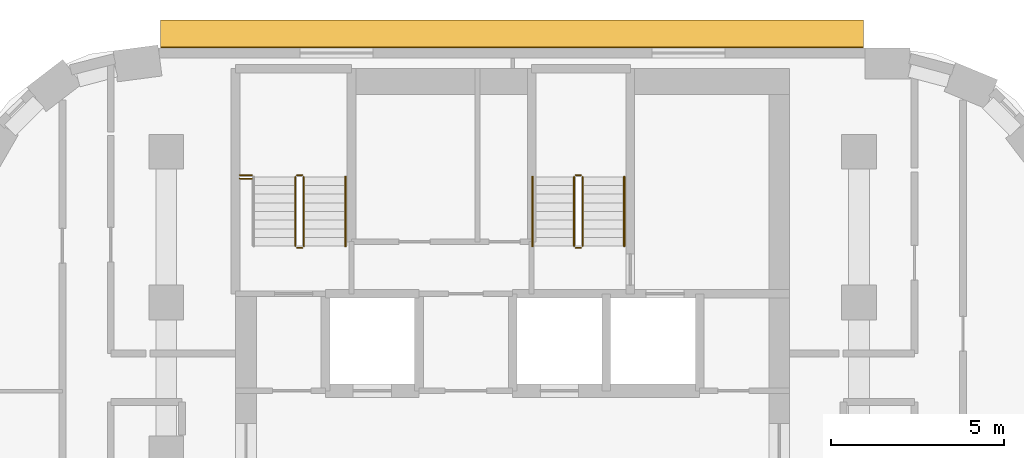
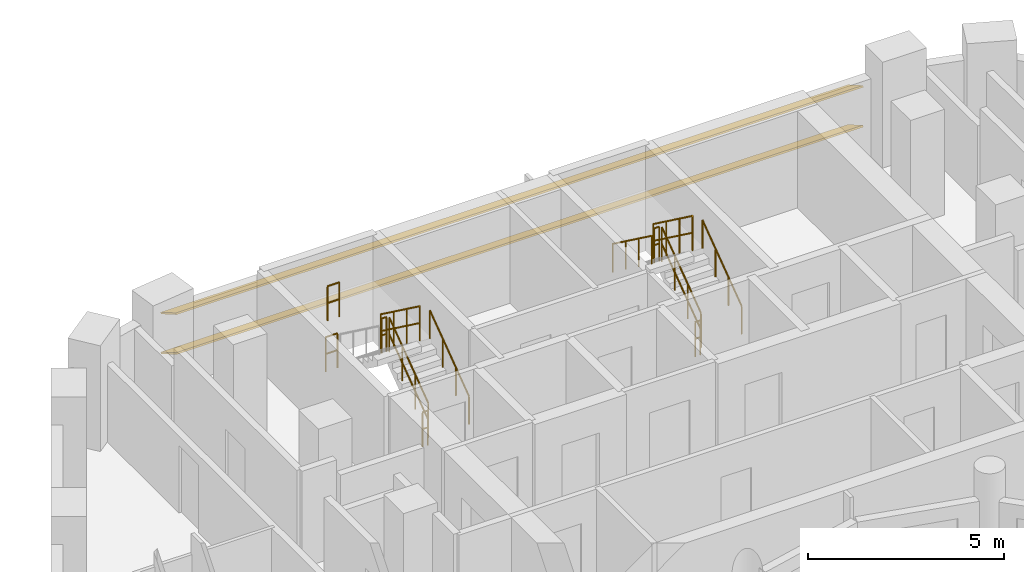
# One storey, part 13 of 13: 13 railings, 2 shading devices.
"""IFC4 building model written with IfcOpenShell, lengths in metres."""

from ifc_helpers import new_model, si_unit, direction, frame, origin, origin_2d, place, context, subcontext, project, spatial, rectangle, circle, extrude, material, material_profile, profile_set, type_object, element, save


model = new_model("IFC4")

# Units and contexts
model_context = context("Model", 3, precision=1e-05, world=origin(), true_north=direction((0.0, 1.0)))
body_context = subcontext(model_context, "Body", "Model", "MODEL_VIEW")
ifc_project = project(units=[si_unit("LENGTHUNIT", "METRE"), si_unit("AREAUNIT", "SQUARE_METRE"), si_unit("VOLUMEUNIT", "CUBIC_METRE"), si_unit("PLANEANGLEUNIT", "RADIAN"), si_unit("MASSUNIT", "GRAM", prefix="KILO")], contexts=[model_context])

# Site, building, storey
site_placement = place(None, origin())
site = spatial("IfcSite", under=ifc_project, at=site_placement, CompositionType="ELEMENT")
building_placement = place(site_placement, origin())
building = spatial("IfcBuilding", under=site, at=building_placement, Name="Nakaniwa Court", CompositionType="ELEMENT")
storey_placement = place(building_placement, frame((0.0, 0.0, 150.300048828125)))
storey = spatial("IfcBuildingStorey", under=building, at=storey_placement, Name="L39", CompositionType="ELEMENT", Elevation=150.300048828125)

# Shading devices
ifc_material_1 = material(Name="Perforated charcoal ceramic louvre blade")
ifc_material_profile = material_profile(ifc_material_1, rectangle(XDim=0.89990234375, YDim=0.050048828125, at=origin_2d()), Name="Perforated ceramic louvre blade")
ifc_profile_set = profile_set([ifc_material_profile], Name="Perforated charcoal ceramic louvre blade")
shading_device_type = type_object("IfcShadingDeviceType", Name="Perforated ceramic louvre blade", PredefinedType="JALOUSIE", material=ifc_profile_set)
for number, where, z_axis, x_axis, name in (
    (1, (90.128662109375, 104.402099609375, 0.550048828125), (-1.0, 0.0, 0.0), (0.0, -0.866025403784, 0.5), "L39 perforated ceramic louvre blade w08 1"),
    (2, (90.128662109375, 104.402099609375, 1.793212890625), (-1.0, 0.0, 0.0), (0.0, -0.866025403784, 0.5), "L39 perforated ceramic louvre blade w08 2"),
):
    element("IfcShadingDevice", number, at=place(storey_placement, frame(where, z_axis=z_axis, x_axis=x_axis)), inside=storey, type_object=shading_device_type, Name=name, PredefinedType="JALOUSIE", context=body_context, shape_type="SweptSolid", body=[
        extrude(rectangle(XDim=0.89990234375, YDim=0.050048828125, at=origin_2d()), origin(), (0.0, 0.0, 1.0), 20.291259765625),
    ])

# Railings
ifc_material_2 = material(Name="Black powder coated steel guard", Category="steel")
railing_type_1 = type_object("IfcRailingType", Name="Stair guard 1100", PredefinedType="GUARDRAIL", material=ifc_material_2)
railing_1_placement = place(storey_placement, frame((73.97509765625, 98.27490234375, 0.183349609375)))
element("IfcRailing", 3, at=railing_1_placement, inside=storey, type_object=railing_type_1, Name="L39 ST1 stair guard 1", PredefinedType="GUARDRAIL", context=body_context, shape_type="SweptSolid", body=[
    extrude(circle(Radius=0.02392578125, at=origin_2d()), frame((0.0, 0.0, 1.076171875), z_axis=(0.0, 0.806426902644, 0.591333789573), x_axis=(-1.0, 0.0, 0.0)), (0.0, 0.0, 1.0), 2.47998046875),
    extrude(circle(Radius=0.02392578125, at=origin_2d()), frame((0.0, 0.0, 0.550048828125), z_axis=(0.0, 0.806426902644, 0.591333789573), x_axis=(-1.0, 0.0, 0.0)), (0.0, 0.0, 1.0), 2.47998046875),
    extrude(circle(Radius=0.02099609375, at=origin_2d()), origin(), (0.0, 0.0, 1.0), 1.052001953125),
    extrude(circle(Radius=0.02099609375, at=origin_2d()), frame((0.0, 0.666748046875, 0.48876953125)), (0.0, 0.0, 1.0), 1.052001953125),
    extrude(circle(Radius=0.02099609375, at=origin_2d()), frame((0.0, 1.333251953125, 0.977783203125)), (0.0, 0.0, 1.0), 1.052001953125),
    extrude(circle(Radius=0.02099609375, at=origin_2d()), frame((0.0, 2.0, 1.466552734375)), (0.0, 0.0, 1.0), 1.052001953125),
])
railing_2_placement = place(storey_placement, frame((73.925048828125, 100.324951171875, 1.64990234375)))
element("IfcRailing", 4, at=railing_2_placement, inside=storey, type_object=railing_type_1, Name="L39 ST1 stair guard 2", PredefinedType="GUARDRAIL", context=body_context, shape_type="SweptSolid", body=[
    extrude(circle(Radius=0.02392578125, at=origin_2d()), frame((0.0, 0.0, 1.076171875), z_axis=(-1.0, 0.0, 0.0), x_axis=(0.0, -1.0, 0.0)), (0.0, 0.0, 1.0), 0.150146484375),
    extrude(circle(Radius=0.02392578125, at=origin_2d()), frame((0.0, 0.0, 0.550048828125), z_axis=(-1.0, 0.0, 0.0), x_axis=(0.0, -1.0, 0.0)), (0.0, 0.0, 1.0), 0.150146484375),
    extrude(circle(Radius=0.02099609375, at=origin_2d()), origin(), (0.0, 0.0, 1.0), 1.052001953125),
    extrude(circle(Radius=0.02099609375, at=origin_2d()), frame((-0.150146484375, 0.0, 0.0)), (0.0, 0.0, 1.0), 1.052001953125),
])
railing_3_placement = place(storey_placement, frame((73.72509765625, 100.27490234375, 1.833251953125)))
element("IfcRailing", 5, at=railing_3_placement, inside=storey, type_object=railing_type_1, Name="L39 ST1 stair guard 3", PredefinedType="GUARDRAIL", context=body_context, shape_type="SweptSolid", body=[
    extrude(circle(Radius=0.02392578125, at=origin_2d()), frame((0.0, 0.0, 1.076171875), z_axis=(0.0, -0.806379959628, 0.591397802423), x_axis=(1.0, 0.0, 0.0)), (0.0, 0.0, 1.0), 2.480224609375),
    extrude(circle(Radius=0.02392578125, at=origin_2d()), frame((0.0, 0.0, 0.550048828125), z_axis=(0.0, -0.806379959628, 0.591397802423), x_axis=(1.0, 0.0, 0.0)), (0.0, 0.0, 1.0), 2.480224609375),
    extrude(circle(Radius=0.02099609375, at=origin_2d()), origin(), (0.0, 0.0, 1.0), 1.052001953125),
    extrude(circle(Radius=0.02099609375, at=origin_2d()), frame((0.0, -0.666748046875, 0.489013671875)), (0.0, 0.0, 1.0), 1.052001953125),
    extrude(circle(Radius=0.02099609375, at=origin_2d()), frame((0.0, -1.333251953125, 0.977783203125)), (0.0, 0.0, 1.0), 1.052001953125),
    extrude(circle(Radius=0.02099609375, at=origin_2d()), frame((0.0, -2.0, 1.466796875)), (0.0, 0.0, 1.0), 1.052001953125),
])
railing_4_placement = place(storey_placement, frame((73.925048828125, 98.22509765625, 0.0)))
element("IfcRailing", 6, at=railing_4_placement, inside=storey, type_object=railing_type_1, Name="L39 ST1 stair guard 4", PredefinedType="GUARDRAIL", context=body_context, shape_type="SweptSolid", body=[
    extrude(circle(Radius=0.02392578125, at=origin_2d()), frame((0.0, 0.0, 1.076171875), z_axis=(-1.0, 0.0, 0.0), x_axis=(0.0, -1.0, 0.0)), (0.0, 0.0, 1.0), 0.150146484375),
    extrude(circle(Radius=0.02392578125, at=origin_2d()), frame((0.0, 0.0, 0.550048828125), z_axis=(-1.0, 0.0, 0.0), x_axis=(0.0, -1.0, 0.0)), (0.0, 0.0, 1.0), 0.150146484375),
    extrude(circle(Radius=0.02099609375, at=origin_2d()), origin(), (0.0, 0.0, 1.0), 1.052001953125),
    extrude(circle(Radius=0.02099609375, at=origin_2d()), frame((-0.150146484375, 0.0, 0.0)), (0.0, 0.0, 1.0), 1.052001953125),
])
for number, where, name in (
    (7, (72.125, 100.324951171875, 1.64990234375), "L39 ST1 landing side guard 1W"),
    (8, (72.125, 100.22509765625, 3.300048828125), "L39 ST1 floor edge guard 1W"),
):
    element("IfcRailing", number, at=place(storey_placement, frame(where)), inside=storey, type_object=railing_type_1, Name=name, PredefinedType="GUARDRAIL", context=body_context, shape_type="SweptSolid", body=[
        extrude(circle(Radius=0.02392578125, at=origin_2d()), frame((0.0, 0.0, 1.076171875), z_axis=(1.0, 0.0, 0.0), x_axis=(0.0, 1.0, 0.0)), (0.0, 0.0, 1.0), 0.35009765625),
        extrude(circle(Radius=0.02392578125, at=origin_2d()), frame((0.0, 0.0, 0.550048828125), z_axis=(1.0, 0.0, 0.0), x_axis=(0.0, 1.0, 0.0)), (0.0, 0.0, 1.0), 0.35009765625),
        extrude(circle(Radius=0.02099609375, at=origin_2d()), origin(), (0.0, 0.0, 1.0), 1.052001953125),
        extrude(circle(Radius=0.02099609375, at=origin_2d()), frame((0.35009765625, 0.0, 0.0)), (0.0, 0.0, 1.0), 1.052001953125),
    ])
railing_5_placement = place(storey_placement, frame((82.02490234375, 98.27490234375, 0.183349609375)))
element("IfcRailing", 9, at=railing_5_placement, inside=storey, type_object=railing_type_1, Name="L39 ST2 stair guard 1", PredefinedType="GUARDRAIL", context=body_context, shape_type="SweptSolid", body=[
    extrude(circle(Radius=0.02392578125, at=origin_2d()), frame((0.0, 0.0, 1.076171875), z_axis=(0.0, 0.806426902644, 0.591333789573), x_axis=(-1.0, 0.0, 0.0)), (0.0, 0.0, 1.0), 2.47998046875),
    extrude(circle(Radius=0.02392578125, at=origin_2d()), frame((0.0, 0.0, 0.550048828125), z_axis=(0.0, 0.806426902644, 0.591333789573), x_axis=(-1.0, 0.0, 0.0)), (0.0, 0.0, 1.0), 2.47998046875),
    extrude(circle(Radius=0.02099609375, at=origin_2d()), origin(), (0.0, 0.0, 1.0), 1.052001953125),
    extrude(circle(Radius=0.02099609375, at=origin_2d()), frame((0.0, 0.666748046875, 0.48876953125)), (0.0, 0.0, 1.0), 1.052001953125),
    extrude(circle(Radius=0.02099609375, at=origin_2d()), frame((0.0, 1.333251953125, 0.977783203125)), (0.0, 0.0, 1.0), 1.052001953125),
    extrude(circle(Radius=0.02099609375, at=origin_2d()), frame((0.0, 2.0, 1.466552734375)), (0.0, 0.0, 1.0), 1.052001953125),
])
railing_6_placement = place(storey_placement, frame((81.97509765625, 100.324951171875, 1.64990234375)))
element("IfcRailing", 10, at=railing_6_placement, inside=storey, type_object=railing_type_1, Name="L39 ST2 stair guard 2", PredefinedType="GUARDRAIL", context=body_context, shape_type="SweptSolid", body=[
    extrude(circle(Radius=0.02392578125, at=origin_2d()), frame((0.0, 0.0, 1.076171875), z_axis=(-1.0, 0.0, 0.0), x_axis=(0.0, -1.0, 0.0)), (0.0, 0.0, 1.0), 0.150146484375),
    extrude(circle(Radius=0.02392578125, at=origin_2d()), frame((0.0, 0.0, 0.550048828125), z_axis=(-1.0, 0.0, 0.0), x_axis=(0.0, -1.0, 0.0)), (0.0, 0.0, 1.0), 0.150146484375),
    extrude(circle(Radius=0.02099609375, at=origin_2d()), origin(), (0.0, 0.0, 1.0), 1.052001953125),
    extrude(circle(Radius=0.02099609375, at=origin_2d()), frame((-0.150146484375, 0.0, 0.0)), (0.0, 0.0, 1.0), 1.052001953125),
])
railing_7_placement = place(storey_placement, frame((81.77490234375, 100.27490234375, 1.833251953125)))
element("IfcRailing", 11, at=railing_7_placement, inside=storey, type_object=railing_type_1, Name="L39 ST2 stair guard 3", PredefinedType="GUARDRAIL", context=body_context, shape_type="SweptSolid", body=[
    extrude(circle(Radius=0.02392578125, at=origin_2d()), frame((0.0, 0.0, 1.076171875), z_axis=(0.0, -0.806379959628, 0.591397802423), x_axis=(1.0, 0.0, 0.0)), (0.0, 0.0, 1.0), 2.480224609375),
    extrude(circle(Radius=0.02392578125, at=origin_2d()), frame((0.0, 0.0, 0.550048828125), z_axis=(0.0, -0.806379959628, 0.591397802423), x_axis=(1.0, 0.0, 0.0)), (0.0, 0.0, 1.0), 2.480224609375),
    extrude(circle(Radius=0.02099609375, at=origin_2d()), origin(), (0.0, 0.0, 1.0), 1.052001953125),
    extrude(circle(Radius=0.02099609375, at=origin_2d()), frame((0.0, -0.666748046875, 0.489013671875)), (0.0, 0.0, 1.0), 1.052001953125),
    extrude(circle(Radius=0.02099609375, at=origin_2d()), frame((0.0, -1.333251953125, 0.977783203125)), (0.0, 0.0, 1.0), 1.052001953125),
    extrude(circle(Radius=0.02099609375, at=origin_2d()), frame((0.0, -2.0, 1.466796875)), (0.0, 0.0, 1.0), 1.052001953125),
])
railing_8_placement = place(storey_placement, frame((81.97509765625, 98.22509765625, 0.0)))
element("IfcRailing", 12, at=railing_8_placement, inside=storey, type_object=railing_type_1, Name="L39 ST2 stair guard 4", PredefinedType="GUARDRAIL", context=body_context, shape_type="SweptSolid", body=[
    extrude(circle(Radius=0.02392578125, at=origin_2d()), frame((0.0, 0.0, 1.076171875), z_axis=(-1.0, 0.0, 0.0), x_axis=(0.0, -1.0, 0.0)), (0.0, 0.0, 1.0), 0.150146484375),
    extrude(circle(Radius=0.02392578125, at=origin_2d()), frame((0.0, 0.0, 0.550048828125), z_axis=(-1.0, 0.0, 0.0), x_axis=(0.0, -1.0, 0.0)), (0.0, 0.0, 1.0), 0.150146484375),
    extrude(circle(Radius=0.02099609375, at=origin_2d()), origin(), (0.0, 0.0, 1.0), 1.052001953125),
    extrude(circle(Radius=0.02099609375, at=origin_2d()), frame((-0.150146484375, 0.0, 0.0)), (0.0, 0.0, 1.0), 1.052001953125),
])
ifc_material_3 = material(Name="Black powder coated steel handrail", Category="steel")
railing_type_2 = type_object("IfcRailingType", Name="Stair handrail 900", PredefinedType="HANDRAIL", material=ifc_material_3)
for number, where, name in (
    (13, (75.175048828125, 98.27490234375, 0.183349609375), "L39 ST1 stair handrail 1"),
    (14, (83.22509765625, 98.27490234375, 0.183349609375), "L39 ST2 stair handrail 1"),
):
    element("IfcRailing", number, at=place(storey_placement, frame(where)), inside=storey, type_object=railing_type_2, Name=name, PredefinedType="HANDRAIL", context=body_context, shape_type="SweptSolid", body=[
        extrude(circle(Radius=0.02392578125, at=origin_2d()), frame((0.0, 0.0, 0.8759765625), z_axis=(0.0, 0.806426902644, 0.591333789573), x_axis=(-1.0, 0.0, 0.0)), (0.0, 0.0, 1.0), 2.47998046875),
        extrude(circle(Radius=0.02099609375, at=origin_2d()), origin(), (0.0, 0.0, 1.0), 0.851806640625),
        extrude(circle(Radius=0.02099609375, at=origin_2d()), frame((0.0, 0.666748046875, 0.48876953125)), (0.0, 0.0, 1.0), 0.851806640625),
        extrude(circle(Radius=0.02099609375, at=origin_2d()), frame((0.0, 1.333251953125, 0.977783203125)), (0.0, 0.0, 1.0), 0.851806640625),
        extrude(circle(Radius=0.02099609375, at=origin_2d()), frame((0.0, 2.0, 1.466552734375)), (0.0, 0.0, 1.0), 0.851806640625),
    ])
railing_9_placement = place(storey_placement, frame((80.574951171875, 100.27490234375, 1.833251953125)))
element("IfcRailing", 15, at=railing_9_placement, inside=storey, type_object=railing_type_2, Name="L39 ST2 stair handrail 2", PredefinedType="HANDRAIL", context=body_context, shape_type="SweptSolid", body=[
    extrude(circle(Radius=0.02392578125, at=origin_2d()), frame((0.0, 0.0, 0.8759765625), z_axis=(0.0, -0.806379959628, 0.591397802423), x_axis=(1.0, 0.0, 0.0)), (0.0, 0.0, 1.0), 2.480224609375),
    extrude(circle(Radius=0.02099609375, at=origin_2d()), origin(), (0.0, 0.0, 1.0), 0.851806640625),
    extrude(circle(Radius=0.02099609375, at=origin_2d()), frame((0.0, -0.666748046875, 0.489013671875)), (0.0, 0.0, 1.0), 0.851806640625),
    extrude(circle(Radius=0.02099609375, at=origin_2d()), frame((0.0, -1.333251953125, 0.977783203125)), (0.0, 0.0, 1.0), 0.851806640625),
    extrude(circle(Radius=0.02099609375, at=origin_2d()), frame((0.0, -2.0, 1.466796875)), (0.0, 0.0, 1.0), 0.851806640625),
])

save(model, "model.ifc")
